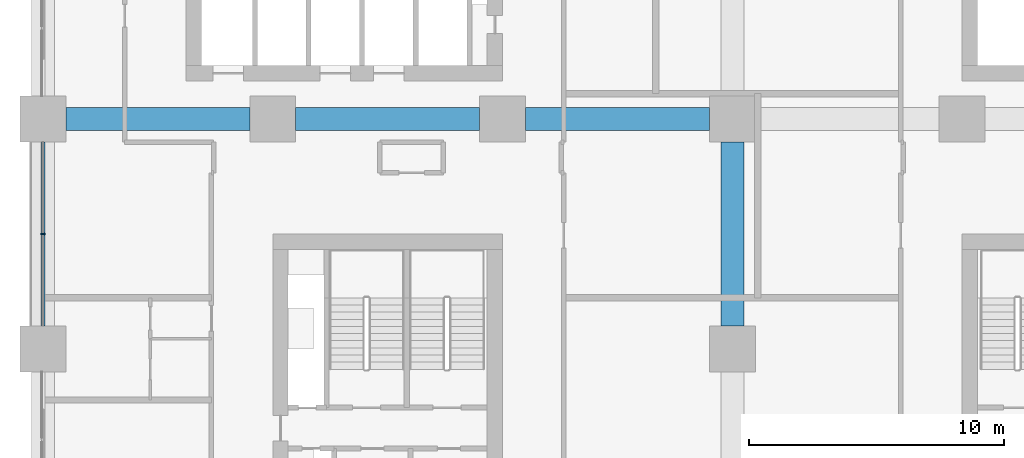
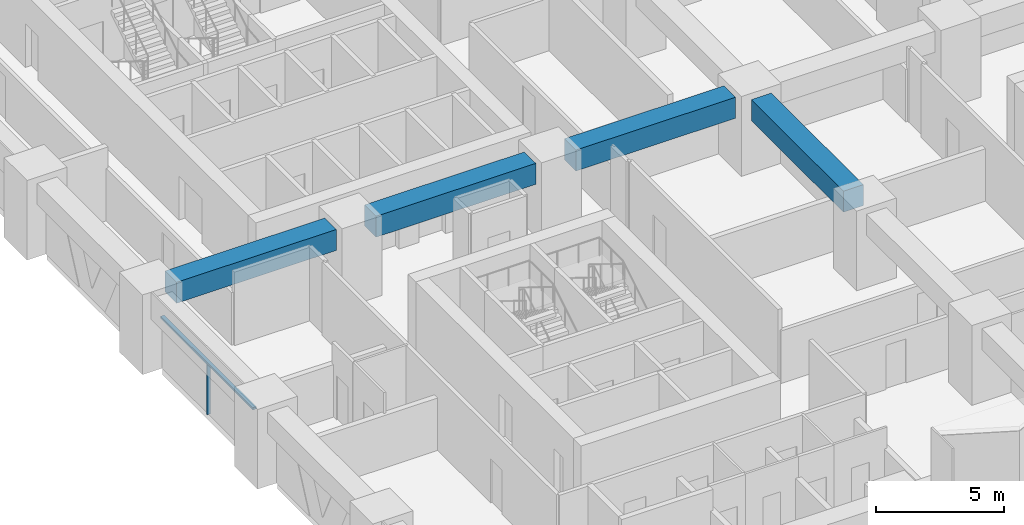
# One storey, part 4 of 24: 4 beams, 2 members, 1 element without a shape of its own.
"""IFC4 building model written with IfcOpenShell, lengths in metres."""

from ifc_helpers import new_model, si_unit, direction, frame, origin, origin_2d, place, context, subcontext, project, spatial, rectangle, extrude, material, material_profile, profile_set, type_object, element, aggregate, save


model = new_model("IFC4")

# Units and contexts
model_context = context("Model", 3, precision=1e-05, world=origin(), true_north=direction((0.0, 1.0)))
body_context = subcontext(model_context, "Body", "Model", "MODEL_VIEW")
ifc_project = project(units=[si_unit("LENGTHUNIT", "METRE"), si_unit("AREAUNIT", "SQUARE_METRE"), si_unit("VOLUMEUNIT", "CUBIC_METRE"), si_unit("PLANEANGLEUNIT", "RADIAN"), si_unit("MASSUNIT", "GRAM", prefix="KILO")], contexts=[model_context])

# Site, building, storey
site_placement = place(None, origin())
site = spatial("IfcSite", under=ifc_project, at=site_placement, CompositionType="ELEMENT")
building_placement = place(site_placement, origin())
building = spatial("IfcBuilding", under=site, at=building_placement, Name="Tessera Arch", CompositionType="ELEMENT")
storey_placement = place(building_placement, frame((0.0, 0.0, 38.60009765625)))
storey = spatial("IfcBuildingStorey", under=building, at=storey_placement, Name="L07", CompositionType="ELEMENT", Elevation=38.60009765625)

# Curtain wall, members
ifc_material_1 = material(Name="CW1 curtain wall")
curtain_wall_type = type_object("IfcCurtainWallType", Name="CW1 curtain wall", PredefinedType="NOTDEFINED", material=ifc_material_1)
curtain_wall_placement = place(storey_placement, origin())
curtain_wall = element("IfcCurtainWall", 1, at=curtain_wall_placement, inside=storey, type_object=curtain_wall_type, Name="CW1 curtain wall W0.0/3 L07", PredefinedType="NOTDEFINED")
ifc_material_2 = material(Name="Anodised aluminium pale metal", Category="aluminium")
ifc_material_profile_1 = material_profile(ifc_material_2, rectangle(XDim=0.159912109375, YDim=0.06005859375, at=origin_2d()), Name="AL 60x160")
ifc_profile_set_1 = profile_set([ifc_material_profile_1], Name="Anodised aluminium pale metal")
member_type_1 = type_object("IfcMemberType", Name="CW1 mullion", PredefinedType="MULLION", material=ifc_profile_set_1)
member_1_placement = place(storey_placement, frame((0.0, 22.5, 0.0), z_axis=(0.0, 0.0, 1.0), x_axis=(1.0, 0.0, 0.0)))
member_1 = element("IfcMember", 2, at=member_1_placement, type_object=member_type_1, Name="CW1 mullion W0.0/3 1", PredefinedType="MULLION", context=body_context, shape_type="SweptSolid", body=[
    extrude(rectangle(XDim=0.159912109375, YDim=0.06005859375, at=origin_2d()), origin(), (0.0, 0.0, 1.0), 2.39990234375),
])
ifc_material_3 = material(Name="Anodised aluminium pale metal", Category="aluminium")
ifc_material_profile_2 = material_profile(ifc_material_3, rectangle(XDim=0.159912109375, YDim=0.10009765625, at=origin_2d()), Name="AL 160x100")
ifc_profile_set_2 = profile_set([ifc_material_profile_2], Name="Anodised aluminium pale metal")
member_type_2 = type_object("IfcMemberType", Name="CW1 transom", PredefinedType="USERDEFINED", material=ifc_profile_set_2)
member_2_placement = place(storey_placement, frame((0.0, 26.10009765625, 2.449951171875), z_axis=(0.0, -1.0, 0.0), x_axis=(1.0, 0.0, 0.0)))
member_2 = element("IfcMember", 3, at=member_2_placement, type_object=member_type_2, Name="CW1 transom W0.0/3 1.1", ObjectType="TRANSOM", PredefinedType="USERDEFINED", context=body_context, shape_type="SweptSolid", body=[
    extrude(rectangle(XDim=0.159912109375, YDim=0.10009765625, at=origin_2d()), origin(), (0.0, 0.0, 1.0), 7.2001953125),
])
aggregate(curtain_wall, [member_1, member_2])

# Beams
ifc_material_4 = material(Name="Concrete C80/95", Category="concrete")
ifc_material_profile_3 = material_profile(ifc_material_4, rectangle(XDim=0.89990234375, YDim=1.0, at=origin_2d()), Name="RC spandrel beam 900 x 1000 Concrete C80/95")
ifc_profile_set_3 = profile_set([ifc_material_profile_3], Name="Concrete C80/95")
beam_type = type_object("IfcBeamType", Name="RC spandrel beam 900 x 1000 Concrete C80/95", PredefinedType="BEAM", material=ifc_profile_set_3)
for number, where, z_axis, x_axis, name in (
    (4, (27.0, 18.89990234375, 3.0), (0.0, 1.0, 0.0), (-1.0, 0.0, 0.0), "Interface beam L07 I0C4C-C4D"),
    (5, (0.89990234375, 27.0, 3.0), (1.0, 0.0, 0.0), (0.0, 1.0, 0.0), "Interface beam L07 I1C1D-C2D"),
    (6, (9.89990234375, 27.0, 3.0), (1.0, 0.0, 0.0), (0.0, 1.0, 0.0), "Interface beam L07 I1C2D-C3D"),
    (7, (18.89990234375, 27.0, 3.0), (1.0, 0.0, 0.0), (0.0, 1.0, 0.0), "Interface beam L07 I1C3D-C4D"),
):
    element("IfcBeam", number, at=place(storey_placement, frame(where, z_axis=z_axis, x_axis=x_axis)), inside=storey, type_object=beam_type, Name=name, PredefinedType="BEAM", context=body_context, shape_type="SweptSolid", body=[
        extrude(rectangle(XDim=0.89990234375, YDim=1.0, at=origin_2d()), origin(), (0.0, 0.0, 1.0), 7.2001953125),
    ])

save(model, "model.ifc")
